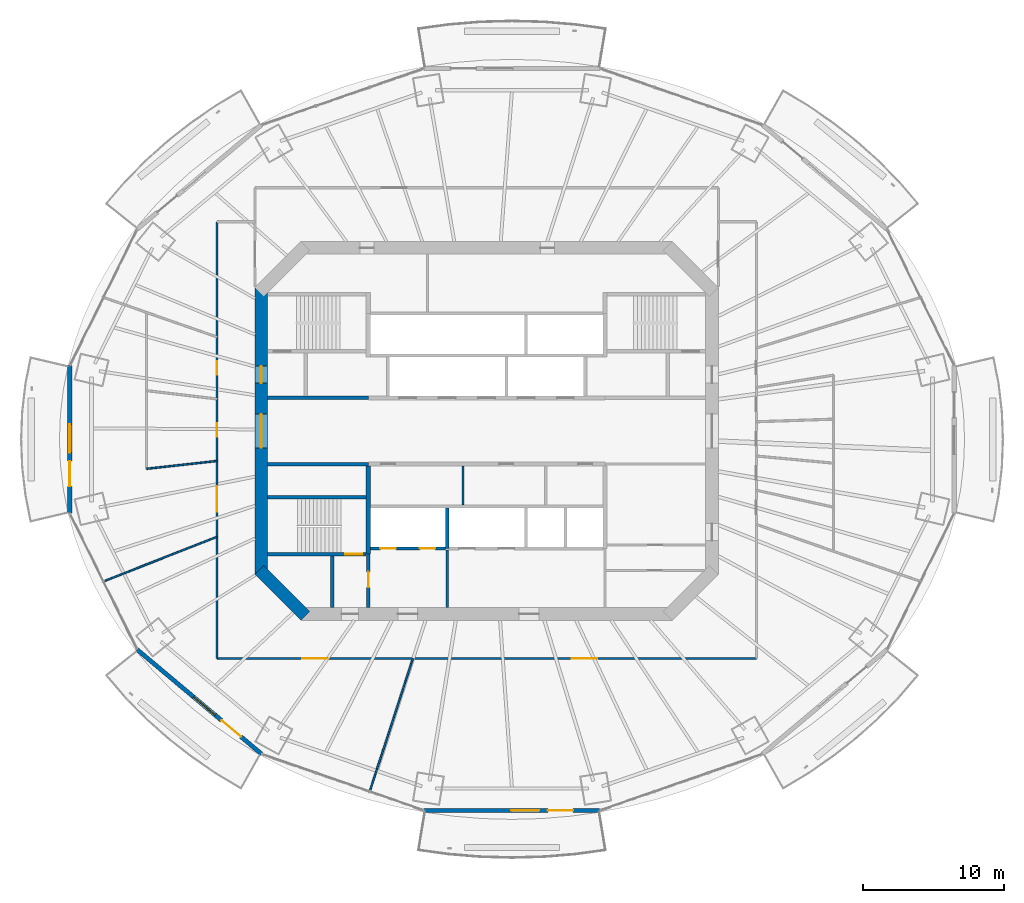
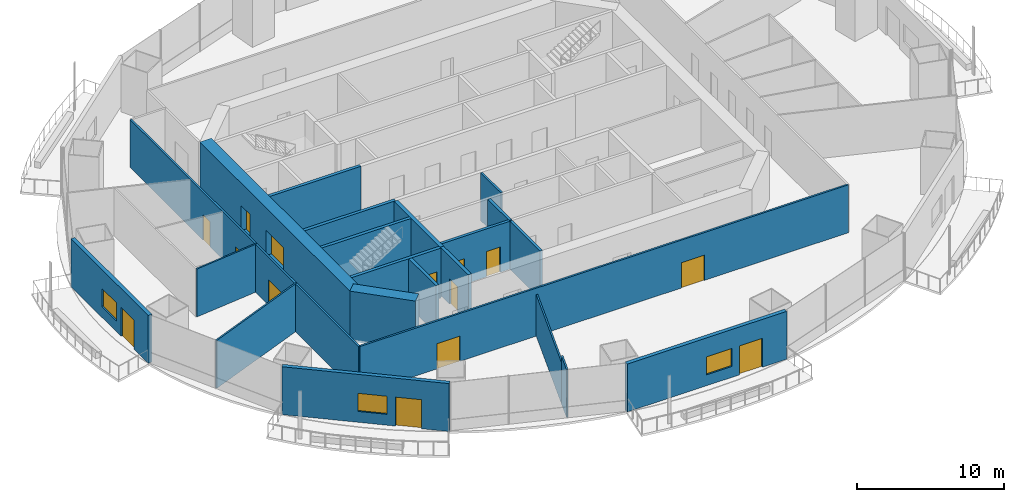
# One storey, part 11 of 20: 22 walls, 14 doors, 3 windows, 17 openings.
"""IFC4 building model written with IfcOpenShell, lengths in metres."""

from ifc_helpers import new_model, si_unit, direction, frame, frame_2d, origin, place, context, subcontext, project, spatial, rectangle, extrude, material, layer, layer_set, type_object, element, fill, save


model = new_model("IFC4")

# Units and contexts
model_context = context("Model", 3, precision=1e-05, world=origin(), true_north=direction((0.0, 1.0)))
body_context = subcontext(model_context, "Body", "Model", "MODEL_VIEW")
ifc_project = project(units=[si_unit("LENGTHUNIT", "METRE"), si_unit("AREAUNIT", "SQUARE_METRE"), si_unit("VOLUMEUNIT", "CUBIC_METRE"), si_unit("PLANEANGLEUNIT", "RADIAN"), si_unit("MASSUNIT", "GRAM", prefix="KILO")], contexts=[model_context])

# Site, building, storey
site_placement = place(None, origin())
site = spatial("IfcSite", under=ifc_project, at=site_placement, CompositionType="ELEMENT")
building_placement = place(site_placement, origin())
building = spatial("IfcBuilding", under=site, at=building_placement, Name="Marenthal Gate Tower", CompositionType="ELEMENT")
storey_placement = place(building_placement, frame((0.0, 0.0, 185.949951171875)))
storey = spatial("IfcBuildingStorey", under=building, at=storey_placement, Name="L40", CompositionType="ELEMENT", Elevation=185.949951171875)

# Wall, openings, doors
ifc_material_1 = material(Name="Concrete 60 MPa", Category="concrete")
ifc_layer_1 = layer(ifc_material_1, 0.89990234375)
ifc_layer_set_1 = layer_set([ifc_layer_1], Name="Core shear wall 900")
wall_type_1 = type_object("IfcWallType", Name="Core shear wall 900", PredefinedType="SHEAR", material=ifc_layer_set_1)
wall_1_placement = place(storey_placement, frame((-16.0, 10.186279296875, -0.179931640625), z_axis=(0.0, 0.0, 1.0), x_axis=(0.0, -1.0, 0.0)))
wall_1 = element("IfcWall", 1, at=wall_1_placement, inside=storey, type_object=wall_type_1, Name="Core wall 06", PredefinedType="SHEAR", context=body_context, shape_type="SweptSolid", body=[
    extrude(rectangle(XDim=20.37255859375, YDim=0.89990234375, at=frame_2d((10.186279296875, 0.0))), origin(), (0.0, 0.0, 1.0), 4.14990234375),
])
opening_1_placement = place(wall_1_placement, frame((8.986328125, 0.0, 0.179931640625)))
opening_1 = element("IfcOpeningElement", 2, at=opening_1_placement, cuts=wall_1, Name="Opening D003.01", PredefinedType="OPENING", context=body_context, shape_type="SweptSolid", body=[
    extrude(rectangle(XDim=2.39990234375, YDim=2.10009765625, at=frame_2d((1.199951171875, 1.050048828125))), frame((0.0, 0.4599609375, 0.0), z_axis=(0.0, -1.0, 0.0), x_axis=(1.0, 0.0, 0.0)), (0.0, 0.0, 1.0), 0.919921875),
])
opening_2_placement = place(wall_1_placement, frame((5.58642578125, 0.0, 0.179931640625)))
opening_2 = element("IfcOpeningElement", 3, at=opening_2_placement, cuts=wall_1, Name="Opening D001.04", PredefinedType="OPENING", context=body_context, shape_type="SweptSolid", body=[
    extrude(rectangle(XDim=1.199951171875, YDim=2.10009765625, at=frame_2d((0.60009765625, 1.050048828125))), frame((0.0, 0.4599609375, 0.0), z_axis=(0.0, -1.0, 0.0), x_axis=(1.0, 0.0, 0.0)), (0.0, 0.0, 1.0), 0.919921875),
])
ifc_material_2 = material(Name="Steel fire door", Category="steel")
door_type_1 = type_object("IfcDoorType", Name="Double fire door FD 45 2400 x 2100", OperationType="DOUBLE_DOOR_SINGLE_SWING", PredefinedType="DOOR", material=ifc_material_2)
door_1_placement = place(opening_1_placement, origin())
door_1 = element("IfcDoor", 4, at=door_1_placement, inside=storey, type_object=door_type_1, Name="Door D003.01", OperationType="DOUBLE_DOOR_SINGLE_SWING", OverallHeight=2.10009765625, OverallWidth=2.39990234375, PredefinedType="DOOR", context=body_context, shape_type="SweptSolid", body=[
    extrude(rectangle(XDim=2.39990234375, YDim=2.10009765625, at=frame_2d((1.199951171875, 1.050048828125))), frame((0.0, 0.02490234375, 0.0), z_axis=(0.0, -1.0, 0.0), x_axis=(1.0, 0.0, 0.0)), (0.0, 0.0, 1.0), 0.050048828125),
])
fill(opening_1, door_1)
ifc_material_3 = material(Name="Steel fire door", Category="steel")
door_type_2 = type_object("IfcDoorType", Name="Fire door FD 90 1200 x 2100", OperationType="NOTDEFINED", PredefinedType="DOOR", material=ifc_material_3)
door_2_placement = place(opening_2_placement, origin())
door_2 = element("IfcDoor", 5, at=door_2_placement, inside=storey, type_object=door_type_2, Name="Door D001.04", OperationType="SINGLE_SWING_RIGHT", OverallHeight=2.10009765625, OverallWidth=1.199951171875, PredefinedType="DOOR", context=body_context, shape_type="SweptSolid", body=[
    extrude(rectangle(XDim=1.199951171875, YDim=2.10009765625, at=frame_2d((0.60009765625, 1.050048828125))), frame((0.0, 0.02490234375, 0.0), z_axis=(0.0, -1.0, 0.0), x_axis=(1.0, 0.0, 0.0)), (0.0, 0.0, 1.0), 0.050048828125),
])
fill(opening_2, door_2)

# Walls
wall_2_placement = place(storey_placement, frame((-16.1318359375, -9.8681640625, -0.179931640625), z_axis=(0.0, 0.0, 1.0), x_axis=(0.707106781187, -0.707106781187, 0.0)))
element("IfcWall", 6, at=wall_2_placement, inside=storey, type_object=wall_type_1, Name="Core wall 07", PredefinedType="SHEAR", context=body_context, shape_type="SweptSolid", body=[
    extrude(rectangle(XDim=4.615478515625, YDim=0.89990234375, at=frame_2d((2.3076171875, 0.0))), origin(), (0.0, 0.0, 1.0), 4.14990234375),
])
ifc_material_4 = material(Name="Gypsum board on steel studs", Category="steel")
ifc_layer_2 = layer(ifc_material_4, 0.199951171875)
ifc_layer_set_2 = layer_set([ifc_layer_2], Name="Fire lobby wall 200")
wall_type_2 = type_object("IfcWallType", Name="Fire lobby wall 200", PredefinedType="PARTITIONING", material=ifc_layer_set_2)
wall_3_placement = place(storey_placement, frame((-2.800048828125, -12.550048828125, 0.0), z_axis=(0.0, 0.0, 1.0), x_axis=(0.0, 1.0, 0.0)))
element("IfcWall", 7, at=wall_3_placement, inside=storey, type_object=wall_type_2, Name="Fire wall 36", PredefinedType="PARTITIONING", context=body_context, shape_type="SweptSolid", body=[
    extrude(rectangle(XDim=4.090087890625, YDim=0.199951171875, at=frame_2d((2.044921875, 0.0))), origin(), (0.0, 0.0, 1.0), 3.969970703125),
])
ifc_material_5 = material(Name="Concrete 50 MPa", Category="concrete")
ifc_layer_3 = layer(ifc_material_5, 0.300048828125)
ifc_layer_set_3 = layer_set([ifc_layer_3], Name="Hoistway shear wall 300")
wall_type_3 = type_object("IfcWallType", Name="Hoistway shear wall 300", PredefinedType="SHEAR", material=ifc_layer_set_3)
wall_4_placement = place(storey_placement, frame((-8.39990234375, -8.75, -0.179931640625), z_axis=(0.0, 0.0, 1.0), x_axis=(0.0, 1.0, 0.0)))
element("IfcWall", 8, at=wall_4_placement, inside=storey, type_object=wall_type_3, Name="Hoistway wall 31", PredefinedType="SHEAR", context=body_context, shape_type="SweptSolid", body=[
    extrude(rectangle(XDim=6.25, YDim=0.300048828125, at=frame_2d((3.125, 0.0))), origin(), (0.0, 0.0, 1.0), 4.14990234375),
])

# Wall, openings, doors
ifc_material_6 = material(Name="Concrete 40 MPa", Category="concrete")
ifc_layer_4 = layer(ifc_material_6, 0.219970703125)
ifc_layer_set_4 = layer_set([ifc_layer_4], Name="Hoistway wall 220")
wall_type_4 = type_object("IfcWallType", Name="Hoistway wall 220", PredefinedType="STANDARD", material=ifc_layer_set_4)
wall_5_placement = place(storey_placement, frame((-8.25, -8.35009765625, 0.0), z_axis=(0.0, 0.0, 1.0), x_axis=(1.0, 0.0, 0.0)))
wall_5 = element("IfcWall", 9, at=wall_5_placement, inside=storey, type_object=wall_type_4, Name="Hoistway wall 11", PredefinedType="STANDARD", context=body_context, shape_type="SweptSolid", body=[
    extrude(rectangle(XDim=5.340087890625, YDim=0.219970703125, at=frame_2d((2.669921875, 0.0))), origin(), (0.0, 0.0, 1.0), 3.969970703125),
])
opening_3_placement = place(wall_5_placement, frame((0.699951171875, 0.0, 0.0)))
opening_3 = element("IfcOpeningElement", 10, at=opening_3_placement, cuts=wall_5, Name="Opening LD-LF1", PredefinedType="OPENING", context=body_context, shape_type="SweptSolid", body=[
    extrude(rectangle(XDim=1.10009765625, YDim=2.10009765625, at=frame_2d((0.550048828125, 1.050048828125))), frame((0.0, 0.1201171875, 0.0), z_axis=(0.0, -1.0, 0.0), x_axis=(1.0, 0.0, 0.0)), (0.0, 0.0, 1.0), 0.239990234375),
])
opening_4_placement = place(wall_5_placement, frame((3.5, 0.0, 0.0)))
opening_4 = element("IfcOpeningElement", 11, at=opening_4_placement, cuts=wall_5, Name="Opening LD-LF2", PredefinedType="OPENING", context=body_context, shape_type="SweptSolid", body=[
    extrude(rectangle(XDim=1.10009765625, YDim=2.10009765625, at=frame_2d((0.550048828125, 1.050048828125))), frame((0.0, 0.1201171875, 0.0), z_axis=(0.0, -1.0, 0.0), x_axis=(1.0, 0.0, 0.0)), (0.0, 0.0, 1.0), 0.239990234375),
])
ifc_material_7 = material(Name="Stainless steel sliding door", Category="steel")
door_type_3 = type_object("IfcDoorType", Name="Lift landing door FD 90 1100 x 2100", OperationType="DOUBLE_DOOR_SLIDING", PredefinedType="DOOR", material=ifc_material_7)
door_3_placement = place(opening_3_placement, origin())
door_3 = element("IfcDoor", 12, at=door_3_placement, inside=storey, type_object=door_type_3, Name="Lift landing door LF1", OperationType="DOUBLE_DOOR_SLIDING", OverallHeight=2.10009765625, OverallWidth=1.10009765625, PredefinedType="DOOR", context=body_context, shape_type="SweptSolid", body=[
    extrude(rectangle(XDim=1.10009765625, YDim=2.10009765625, at=frame_2d((0.550048828125, 1.050048828125))), frame((0.0, 0.02490234375, 0.0), z_axis=(0.0, -1.0, 0.0), x_axis=(1.0, 0.0, 0.0)), (0.0, 0.0, 1.0), 0.050048828125),
])
fill(opening_3, door_3)
door_4_placement = place(opening_4_placement, origin())
door_4 = element("IfcDoor", 13, at=door_4_placement, inside=storey, type_object=door_type_3, Name="Lift landing door LF2", OperationType="DOUBLE_DOOR_SLIDING", OverallHeight=2.10009765625, OverallWidth=1.10009765625, PredefinedType="DOOR", context=body_context, shape_type="SweptSolid", body=[
    extrude(rectangle(XDim=1.10009765625, YDim=2.10009765625, at=frame_2d((0.550048828125, 1.050048828125))), frame((0.0, 0.02490234375, 0.0), z_axis=(0.0, -1.0, 0.0), x_axis=(1.0, 0.0, 0.0)), (0.0, 0.0, 1.0), 0.050048828125),
])
fill(opening_4, door_4)

# Walls
wall_6_placement = place(storey_placement, frame((-2.800048828125, -8.35009765625, 0.0), z_axis=(0.0, 0.0, 1.0), x_axis=(0.0, 1.0, 0.0)))
element("IfcWall", 14, at=wall_6_placement, inside=storey, type_object=wall_type_4, Name="Hoistway wall 37", PredefinedType="STANDARD", context=body_context, shape_type="SweptSolid", body=[
    extrude(rectangle(XDim=2.89013671875, YDim=0.219970703125, at=frame_2d((1.445068359375, 0.0))), origin(), (0.0, 0.0, 1.0), 3.969970703125),
])
ifc_material_8 = material(Name="Gypsum board on steel studs", Category="steel")
ifc_layer_5 = layer(ifc_material_8, 0.1201171875)
ifc_layer_set_5 = layer_set([ifc_layer_5], Name="Partition 120")
wall_type_5 = type_object("IfcWallType", Name="Partition 120", PredefinedType="PARTITIONING", material=ifc_layer_set_5)
wall_7_placement = place(storey_placement, frame((-24.14697265625, -2.6865234375, 0.0), z_axis=(0.0, 0.0, 1.0), x_axis=(0.993868921716, 0.110564761322, 0.0)))
element("IfcWall", 15, at=wall_7_placement, inside=storey, type_object=wall_type_5, Name="Partition wall 50", PredefinedType="PARTITIONING", context=body_context, shape_type="SweptSolid", body=[
    extrude(rectangle(XDim=5.02783203125, YDim=0.1201171875, at=frame_2d((2.513916015625, 0.0))), origin(), (0.0, 0.0, 1.0), 3.969970703125),
])
wall_8_placement = place(storey_placement, frame((-19.14990234375, -7.517822265625, 0.0), z_axis=(0.0, 0.0, 1.0), x_axis=(-0.930851190322, -0.365398496816, 0.0)))
element("IfcWall", 16, at=wall_8_placement, inside=storey, type_object=wall_type_5, Name="Partition wall 54", PredefinedType="PARTITIONING", context=body_context, shape_type="SweptSolid", body=[
    extrude(rectangle(XDim=8.658447265625, YDim=0.1201171875, at=frame_2d((4.3291015625, 0.0))), origin(), (0.0, 0.0, 1.0), 3.969970703125),
])
wall_9_placement = place(storey_placement, frame((-5.236572265625, -16.14990234375, 0.0), z_axis=(0.0, 0.0, 1.0), x_axis=(-0.308416643719, -0.951251372602, 0.0)))
element("IfcWall", 17, at=wall_9_placement, inside=storey, type_object=wall_type_5, Name="Partition wall 59", PredefinedType="PARTITIONING", context=body_context, shape_type="SweptSolid", body=[
    extrude(rectangle(XDim=8.272216796875, YDim=0.1201171875, at=frame_2d((4.13623046875, 0.0))), origin(), (0.0, 0.0, 1.0), 3.43408203125),
])
wall_10_placement = place(storey_placement, frame((-7.787841796875, -24.018798828125, 0.0), z_axis=(0.0, 0.0, 1.0), x_axis=(-0.308397263442, -0.951257655896, 0.0)))
element("IfcWall", 18, at=wall_10_placement, inside=storey, type_object=wall_type_5, Name="Partition wall 71", PredefinedType="PARTITIONING", context=body_context, shape_type="SweptSolid", body=[
    extrude(rectangle(XDim=1.667236328125, YDim=0.1201171875, at=frame_2d((0.83349609375, 0.0))), origin(), (0.0, 0.0, 1.0), 3.969970703125),
])
ifc_material_9 = material(Name="Gypsum board on steel studs", Category="steel")
ifc_layer_6 = layer(ifc_material_9, 0.14990234375)
ifc_layer_set_6 = layer_set([ifc_layer_6], Name="Partition 150")
wall_type_6 = type_object("IfcWallType", Name="Partition 150", PredefinedType="PARTITIONING", material=ifc_layer_set_6)
wall_11_placement = place(storey_placement, frame((-1.679931640625, -5.239990234375, 0.0), z_axis=(0.0, 0.0, 1.0), x_axis=(0.0, 1.0, 0.0)))
element("IfcWall", 19, at=wall_11_placement, inside=storey, type_object=wall_type_6, Name="Partition wall 38", PredefinedType="PARTITIONING", context=body_context, shape_type="SweptSolid", body=[
    extrude(rectangle(XDim=2.739990234375, YDim=0.14990234375, at=frame_2d((1.3701171875, 0.0))), origin(), (0.0, 0.0, 1.0), 3.969970703125),
])

# Wall, openings, doors
wall_12_placement = place(storey_placement, frame((-19.14990234375, -16.14990234375, 0.0), z_axis=(0.0, 0.0, 1.0), x_axis=(0.0, 1.0, 0.0)))
wall_12 = element("IfcWall", 20, at=wall_12_placement, inside=storey, type_object=wall_type_6, Name="Partition wall 53", PredefinedType="PARTITIONING", context=body_context, shape_type="SweptSolid", body=[
    extrude(rectangle(XDim=31.003662109375, YDim=0.14990234375, at=frame_2d((15.501953125, 0.0))), origin(), (0.0, 0.0, 1.0), 3.969970703125),
])
opening_5_placement = place(wall_12_placement, frame((20.14697265625, 0.0, 0.0)))
opening_5 = element("IfcOpeningElement", 21, at=opening_5_placement, cuts=wall_12, Name="Opening D016.01", PredefinedType="OPENING", context=body_context, shape_type="SweptSolid", body=[
    extrude(rectangle(XDim=0.949951171875, YDim=2.10009765625, at=frame_2d((0.47509765625, 1.050048828125))), frame((0.0, 0.0849609375, 0.0), z_axis=(0.0, -1.0, 0.0), x_axis=(1.0, 0.0, 0.0)), (0.0, 0.0, 1.0), 0.169921875),
])
opening_6_placement = place(wall_12_placement, frame((15.7451171875, 0.0, 0.0)))
opening_6 = element("IfcOpeningElement", 22, at=opening_6_placement, cuts=wall_12, Name="Opening D016.02", PredefinedType="OPENING", context=body_context, shape_type="SweptSolid", body=[
    extrude(rectangle(XDim=0.949951171875, YDim=2.10009765625, at=frame_2d((0.47509765625, 1.050048828125))), frame((0.0, 0.0849609375, 0.0), z_axis=(0.0, -1.0, 0.0), x_axis=(1.0, 0.0, 0.0)), (0.0, 0.0, 1.0), 0.169921875),
])
opening_7_placement = place(wall_12_placement, frame((10.425048828125, 0.0, 0.0)))
opening_7 = element("IfcOpeningElement", 23, at=opening_7_placement, cuts=wall_12, Name="Opening D014.02", PredefinedType="OPENING", context=body_context, shape_type="SweptSolid", body=[
    extrude(rectangle(XDim=1.800048828125, YDim=2.10009765625, at=frame_2d((0.89990234375, 1.050048828125))), frame((0.0, 0.0849609375, 0.0), z_axis=(0.0, -1.0, 0.0), x_axis=(1.0, 0.0, 0.0)), (0.0, 0.0, 1.0), 0.169921875),
])
ifc_material_10 = material(Name="Timber door", Category="wood")
door_type_4 = type_object("IfcDoorType", Name="Door 950 x 2100", OperationType="NOTDEFINED", PredefinedType="DOOR", material=ifc_material_10)
door_5_placement = place(opening_5_placement, origin())
door_5 = element("IfcDoor", 24, at=door_5_placement, inside=storey, type_object=door_type_4, Name="Door D016.01", OperationType="SINGLE_SWING_RIGHT", OverallHeight=2.10009765625, OverallWidth=0.949951171875, PredefinedType="DOOR", context=body_context, shape_type="SweptSolid", body=[
    extrude(rectangle(XDim=0.949951171875, YDim=2.10009765625, at=frame_2d((0.47509765625, 1.050048828125))), frame((0.0, 0.02490234375, 0.0), z_axis=(0.0, -1.0, 0.0), x_axis=(1.0, 0.0, 0.0)), (0.0, 0.0, 1.0), 0.050048828125),
])
fill(opening_5, door_5)
door_6_placement = place(opening_6_placement, origin())
door_6 = element("IfcDoor", 25, at=door_6_placement, inside=storey, type_object=door_type_4, Name="Door D016.02", OperationType="SINGLE_SWING_RIGHT", OverallHeight=2.10009765625, OverallWidth=0.949951171875, PredefinedType="DOOR", context=body_context, shape_type="SweptSolid", body=[
    extrude(rectangle(XDim=0.949951171875, YDim=2.10009765625, at=frame_2d((0.47509765625, 1.050048828125))), frame((0.0, 0.02490234375, 0.0), z_axis=(0.0, -1.0, 0.0), x_axis=(1.0, 0.0, 0.0)), (0.0, 0.0, 1.0), 0.050048828125),
])
fill(opening_6, door_6)
ifc_material_11 = material(Name="Timber door", Category="wood")
door_type_5 = type_object("IfcDoorType", Name="Double door 1800 x 2100", OperationType="DOUBLE_DOOR_SINGLE_SWING", PredefinedType="DOOR", material=ifc_material_11)
door_7_placement = place(opening_7_placement, origin())
door_7 = element("IfcDoor", 26, at=door_7_placement, inside=storey, type_object=door_type_5, Name="Door D014.02", OperationType="DOUBLE_DOOR_SINGLE_SWING", OverallHeight=2.10009765625, OverallWidth=1.800048828125, PredefinedType="DOOR", context=body_context, shape_type="SweptSolid", body=[
    extrude(rectangle(XDim=1.800048828125, YDim=2.10009765625, at=frame_2d((0.89990234375, 1.050048828125))), frame((0.0, 0.02490234375, 0.0), z_axis=(0.0, -1.0, 0.0), x_axis=(1.0, 0.0, 0.0)), (0.0, 0.0, 1.0), 0.050048828125),
])
fill(opening_7, door_7)

wall_13_placement = place(storey_placement, frame((19.14990234375, -16.14990234375, 0.0), z_axis=(0.0, 0.0, 1.0), x_axis=(-1.0, 0.0, 0.0)))
wall_13 = element("IfcWall", 27, at=wall_13_placement, inside=storey, type_object=wall_type_6, Name="Partition wall 62", PredefinedType="PARTITIONING", context=body_context, shape_type="SweptSolid", body=[
    extrude(rectangle(XDim=38.2998046875, YDim=0.14990234375, at=frame_2d((19.14990234375, 0.0))), origin(), (0.0, 0.0, 1.0), 3.969970703125),
])
opening_8_placement = place(wall_13_placement, frame((30.443115234375, 0.0, 0.0)))
opening_8 = element("IfcOpeningElement", 28, at=opening_8_placement, cuts=wall_13, Name="Opening D014.03", PredefinedType="OPENING", context=body_context, shape_type="SweptSolid", body=[
    extrude(rectangle(XDim=1.800048828125, YDim=2.10009765625, at=frame_2d((0.89990234375, 1.050048828125))), frame((0.0, 0.0849609375, 0.0), z_axis=(0.0, -1.0, 0.0), x_axis=(1.0, 0.0, 0.0)), (0.0, 0.0, 1.0), 0.169921875),
])
opening_9_placement = place(wall_13_placement, frame((11.29296875, 0.0, 0.0)))
opening_9 = element("IfcOpeningElement", 29, at=opening_9_placement, cuts=wall_13, Name="Opening D014.04", PredefinedType="OPENING", context=body_context, shape_type="SweptSolid", body=[
    extrude(rectangle(XDim=1.800048828125, YDim=2.10009765625, at=frame_2d((0.89990234375, 1.050048828125))), frame((0.0, 0.0849609375, 0.0), z_axis=(0.0, -1.0, 0.0), x_axis=(1.0, 0.0, 0.0)), (0.0, 0.0, 1.0), 0.169921875),
])
door_8_placement = place(opening_8_placement, origin())
door_8 = element("IfcDoor", 30, at=door_8_placement, inside=storey, type_object=door_type_5, Name="Door D014.03", OperationType="DOUBLE_DOOR_SINGLE_SWING", OverallHeight=2.10009765625, OverallWidth=1.800048828125, PredefinedType="DOOR", context=body_context, shape_type="SweptSolid", body=[
    extrude(rectangle(XDim=1.800048828125, YDim=2.10009765625, at=frame_2d((0.89990234375, 1.050048828125))), frame((0.0, 0.02490234375, 0.0), z_axis=(0.0, -1.0, 0.0), x_axis=(1.0, 0.0, 0.0)), (0.0, 0.0, 1.0), 0.050048828125),
])
fill(opening_8, door_8)
door_9_placement = place(opening_9_placement, origin())
door_9 = element("IfcDoor", 31, at=door_9_placement, inside=storey, type_object=door_type_5, Name="Door D014.04", OperationType="DOUBLE_DOOR_SINGLE_SWING", OverallHeight=2.10009765625, OverallWidth=1.800048828125, PredefinedType="DOOR", context=body_context, shape_type="SweptSolid", body=[
    extrude(rectangle(XDim=1.800048828125, YDim=2.10009765625, at=frame_2d((0.89990234375, 1.050048828125))), frame((0.0, 0.02490234375, 0.0), z_axis=(0.0, -1.0, 0.0), x_axis=(1.0, 0.0, 0.0)), (0.0, 0.0, 1.0), 0.050048828125),
])
fill(opening_9, door_9)

# Walls
ifc_material_12 = material(Name="Concrete 40 MPa", Category="concrete")
ifc_layer_7 = layer(ifc_material_12, 0.25)
ifc_layer_set_7 = layer_set([ifc_layer_7], Name="Stair enclosure wall 250")
wall_type_7 = type_object("IfcWallType", Name="Stair enclosure wall 250", PredefinedType="STANDARD", material=ifc_layer_set_7)
for number, where, z_axis, x_axis, name in (
    (32, (-15.550048828125, -2.35009765625, 0.0), (0.0, 0.0, 1.0), (1.0, 0.0, 0.0), "Stair wall 16"),
    (33, (-15.550048828125, 2.35009765625, 0.0), (0.0, 0.0, 1.0), (1.0, 0.0, 0.0), "Stair wall 19"),
):
    element("IfcWall", number, at=place(storey_placement, frame(where, z_axis=z_axis, x_axis=x_axis)), inside=storey, type_object=wall_type_7, Name=name, PredefinedType="STANDARD", context=body_context, shape_type="SweptSolid", body=[
        extrude(rectangle(XDim=7.150146484375, YDim=0.25, at=frame_2d((3.5751953125, 0.0))), origin(), (0.0, 0.0, 1.0), 3.969970703125),
    ])
wall_14_placement = place(storey_placement, frame((-10.949951171875, -12.550048828125, 0.0), z_axis=(0.0, 0.0, 1.0), x_axis=(0.0, 1.0, 0.0)))
element("IfcWall", 34, at=wall_14_placement, inside=storey, type_object=wall_type_7, Name="Stair wall 29", PredefinedType="STANDARD", context=body_context, shape_type="SweptSolid", body=[
    extrude(rectangle(XDim=3.675048828125, YDim=0.25, at=frame_2d((1.83740234375, 0.0))), origin(), (0.0, 0.0, 1.0), 3.969970703125),
])

# Wall, opening, door
wall_15_placement = place(storey_placement, frame((-8.39990234375, -12.550048828125, 0.0), z_axis=(0.0, 0.0, 1.0), x_axis=(0.0, 1.0, 0.0)))
wall_15 = element("IfcWall", 35, at=wall_15_placement, inside=storey, type_object=wall_type_7, Name="Stair wall 30", PredefinedType="STANDARD", context=body_context, shape_type="SweptSolid", body=[
    extrude(rectangle(XDim=3.800048828125, YDim=0.25, at=frame_2d((1.89990234375, 0.0))), origin(), (0.0, 0.0, 1.0), 3.969970703125),
])
opening_10_placement = place(wall_15_placement, frame((1.449951171875, 0.0, 0.0)))
opening_10 = element("IfcOpeningElement", 36, at=opening_10_placement, cuts=wall_15, Name="Opening D002.01", PredefinedType="OPENING", context=body_context, shape_type="SweptSolid", body=[
    extrude(rectangle(XDim=1.10009765625, YDim=2.10009765625, at=frame_2d((0.550048828125, 1.050048828125))), frame((0.0, 0.135009765625, 0.0), z_axis=(0.0, -1.0, 0.0), x_axis=(1.0, 0.0, 0.0)), (0.0, 0.0, 1.0), 0.27001953125),
])
ifc_material_13 = material(Name="Steel fire door", Category="steel")
door_type_6 = type_object("IfcDoorType", Name="Fire door FD 90 1100 x 2100", OperationType="NOTDEFINED", PredefinedType="DOOR", material=ifc_material_13)
door_10_placement = place(opening_10_placement, origin())
door_10 = element("IfcDoor", 37, at=door_10_placement, inside=storey, type_object=door_type_6, Name="Door D002.01", OperationType="SINGLE_SWING_RIGHT", OverallHeight=2.10009765625, OverallWidth=1.10009765625, PredefinedType="DOOR", context=body_context, shape_type="SweptSolid", body=[
    extrude(rectangle(XDim=1.10009765625, YDim=2.10009765625, at=frame_2d((0.550048828125, 1.050048828125))), frame((0.0, 0.02490234375, 0.0), z_axis=(0.0, -1.0, 0.0), x_axis=(1.0, 0.0, 0.0)), (0.0, 0.0, 1.0), 0.050048828125),
])
fill(opening_10, door_10)

ifc_material_14 = material(Name="Concrete 50 MPa", Category="concrete")
ifc_layer_8 = layer(ifc_material_14, 0.25)
ifc_layer_set_8 = layer_set([ifc_layer_8], Name="Stair shear wall 250")
wall_type_8 = type_object("IfcWallType", Name="Stair shear wall 250", PredefinedType="SHEAR", material=ifc_layer_set_8)
wall_16_placement = place(storey_placement, frame((-15.550048828125, -8.75, -0.179931640625), z_axis=(0.0, 0.0, 1.0), x_axis=(1.0, 0.0, 0.0)))
wall_16 = element("IfcWall", 38, at=wall_16_placement, inside=storey, type_object=wall_type_8, Name="Stair wall 10", PredefinedType="SHEAR", context=body_context, shape_type="SweptSolid", body=[
    extrude(rectangle(XDim=7.0, YDim=0.25, at=frame_2d((3.5, 0.0))), origin(), (0.0, 0.0, 1.0), 4.14990234375),
])
opening_11_placement = place(wall_16_placement, frame((5.5, 0.0, 0.179931640625)))
opening_11 = element("IfcOpeningElement", 39, at=opening_11_placement, cuts=wall_16, Name="Opening D001.03", PredefinedType="OPENING", context=body_context, shape_type="SweptSolid", body=[
    extrude(rectangle(XDim=1.199951171875, YDim=2.10009765625, at=frame_2d((0.60009765625, 1.050048828125))), frame((0.0, 0.135009765625, 0.0), z_axis=(0.0, -1.0, 0.0), x_axis=(1.0, 0.0, 0.0)), (0.0, 0.0, 1.0), 0.27001953125),
])
door_11_placement = place(opening_11_placement, origin())
door_11 = element("IfcDoor", 40, at=door_11_placement, inside=storey, type_object=door_type_2, Name="Door D001.03", OperationType="SINGLE_SWING_RIGHT", OverallHeight=2.10009765625, OverallWidth=1.199951171875, PredefinedType="DOOR", context=body_context, shape_type="SweptSolid", body=[
    extrude(rectangle(XDim=1.199951171875, YDim=2.10009765625, at=frame_2d((0.60009765625, 1.050048828125))), frame((0.0, 0.02490234375, 0.0), z_axis=(0.0, -1.0, 0.0), x_axis=(1.0, 0.0, 0.0)), (0.0, 0.0, 1.0), 0.050048828125),
])
fill(opening_11, door_11)

# Wall
wall_17_placement = place(storey_placement, frame((-15.550048828125, -4.699951171875, -0.179931640625), z_axis=(0.0, 0.0, 1.0), x_axis=(1.0, 0.0, 0.0)))
element("IfcWall", 41, at=wall_17_placement, inside=storey, type_object=wall_type_8, Name="Stair wall 15", PredefinedType="SHEAR", context=body_context, shape_type="SweptSolid", body=[
    extrude(rectangle(XDim=7.0, YDim=0.25, at=frame_2d((3.5, 0.0))), origin(), (0.0, 0.0, 1.0), 4.14990234375),
])

# Wall, openings, door, window
ifc_material_15 = material(Name="Terracotta cladding on insulated concrete-block backing", Category="masonry")
ifc_layer_9 = layer(ifc_material_15, 0.300048828125)
ifc_layer_set_9 = layer_set([ifc_layer_9], Name="Terracotta facade wall 300")
wall_type_9 = type_object("IfcWallType", Name="Terracotta facade wall 300", PredefinedType="SOLIDWALL", material=ifc_layer_set_9)
wall_18_placement = place(storey_placement, frame((-29.599853515625, 4.640380859375, 0.0), z_axis=(0.0, 0.0, 1.0), x_axis=(0.0, -1.0, 0.0)))
wall_18 = element("IfcWall", 42, at=wall_18_placement, inside=storey, type_object=wall_type_9, Name="Terracotta facade wall L40 bay 8", PredefinedType="SOLIDWALL", context=body_context, shape_type="SweptSolid", body=[
    extrude(rectangle(XDim=10.480712890625, YDim=0.300048828125, at=frame_2d((5.240234375, 0.0))), origin(), (0.0, 0.0, 1.0), 3.969970703125),
])
opening_12_placement = place(wall_18_placement, frame((6.780517578125, 0.0, 0.0)))
opening_12 = element("IfcOpeningElement", 43, at=opening_12_placement, cuts=wall_18, Name="Opening BD-L40-08", PredefinedType="OPENING", context=body_context, shape_type="SweptSolid", body=[
    extrude(rectangle(XDim=1.800048828125, YDim=2.39990234375, at=frame_2d((0.89990234375, 1.199951171875))), frame((0.0, 0.16015625, 0.0), z_axis=(0.0, -1.0, 0.0), x_axis=(1.0, 0.0, 0.0)), (0.0, 0.0, 1.0), 0.320068359375),
])
opening_13_placement = place(wall_18_placement, frame((4.1806640625, 0.0, 0.89990234375)))
opening_13 = element("IfcOpeningElement", 44, at=opening_13_placement, cuts=wall_18, Name="Opening WN2-L40-08", PredefinedType="OPENING", context=body_context, shape_type="SweptSolid", body=[
    extrude(rectangle(XDim=2.0, YDim=1.5, at=frame_2d((1.0, 0.75))), frame((0.0, 0.16015625, 0.0), z_axis=(0.0, -1.0, 0.0), x_axis=(1.0, 0.0, 0.0)), (0.0, 0.0, 1.0), 0.320068359375),
])
ifc_material_16 = material(Name="Aluminium and glass", Category="aluminium")
door_type_7 = type_object("IfcDoorType", Name="Balcony door 1800x2400", OperationType="DOUBLE_DOOR_SINGLE_SWING", PredefinedType="DOOR", material=ifc_material_16)
door_12_placement = place(opening_12_placement, origin())
door_12 = element("IfcDoor", 45, at=door_12_placement, inside=storey, type_object=door_type_7, Name="Balcony door L40 bay 8", OperationType="SINGLE_SWING_LEFT", OverallHeight=2.39990234375, OverallWidth=1.800048828125, PredefinedType="DOOR", context=body_context, shape_type="SweptSolid", body=[
    extrude(rectangle(XDim=1.800048828125, YDim=2.39990234375, at=frame_2d((0.89990234375, 1.199951171875))), frame((0.0, 0.02490234375, 0.0), z_axis=(0.0, -1.0, 0.0), x_axis=(1.0, 0.0, 0.0)), (0.0, 0.0, 1.0), 0.050048828125),
])
fill(opening_12, door_12)
ifc_material_17 = material(Name="Aluminium and glass", Category="aluminium")
window_type = type_object("IfcWindowType", Name="Window 2000x1500", PartitioningType="DOUBLE_PANEL_VERTICAL", PredefinedType="WINDOW", material=ifc_material_17)
window_1_placement = place(opening_13_placement, origin())
window_1 = element("IfcWindow", 46, at=window_1_placement, inside=storey, type_object=window_type, Name="Window L40 bay 8", OverallHeight=1.5, OverallWidth=2.0, PartitioningType="SINGLE_PANEL", PredefinedType="WINDOW", context=body_context, shape_type="SweptSolid", body=[
    extrude(rectangle(XDim=2.0, YDim=1.5, at=frame_2d((1.0, 0.75))), frame((0.0, 0.030029296875, 0.0), z_axis=(0.0, -1.0, 0.0), x_axis=(1.0, 0.0, 0.0)), (0.0, 0.0, 1.0), 0.06005859375),
])
fill(opening_13, window_1)

wall_19_placement = place(storey_placement, frame((-24.819580078125, -15.523193359375, 0.0), z_axis=(0.0, 0.0, 1.0), x_axis=(0.766082233378, -0.642742570321, 0.0)))
wall_19 = element("IfcWall", 47, at=wall_19_placement, inside=storey, type_object=wall_type_9, Name="Terracotta facade wall L40 bay 10", PredefinedType="SOLIDWALL", context=body_context, shape_type="SweptSolid", body=[
    extrude(rectangle(XDim=11.530029296875, YDim=0.300048828125, at=frame_2d((5.76513671875, 0.0))), origin(), (0.0, 0.0, 1.0), 3.969970703125),
])
opening_14_placement = place(wall_19_placement, frame((7.830078125, 0.0, 0.0)))
opening_14 = element("IfcOpeningElement", 48, at=opening_14_placement, cuts=wall_19, Name="Opening BD-L40-10", PredefinedType="OPENING", context=body_context, shape_type="SweptSolid", body=[
    extrude(rectangle(XDim=1.800048828125, YDim=2.39990234375, at=frame_2d((0.89990234375, 1.199951171875))), frame((0.0, 0.16015625, 0.0), z_axis=(0.0, -1.0, 0.0), x_axis=(1.0, 0.0, 0.0)), (0.0, 0.0, 1.0), 0.320068359375),
])
opening_15_placement = place(wall_19_placement, frame((5.22998046875, 0.0, 0.89990234375)))
opening_15 = element("IfcOpeningElement", 49, at=opening_15_placement, cuts=wall_19, Name="Opening WN2-L40-10", PredefinedType="OPENING", context=body_context, shape_type="SweptSolid", body=[
    extrude(rectangle(XDim=2.0, YDim=1.5, at=frame_2d((1.0, 0.75))), frame((0.0, 0.16015625, 0.0), z_axis=(0.0, -1.0, 0.0), x_axis=(1.0, 0.0, 0.0)), (0.0, 0.0, 1.0), 0.320068359375),
])
door_13_placement = place(opening_14_placement, origin())
door_13 = element("IfcDoor", 50, at=door_13_placement, inside=storey, type_object=door_type_7, Name="Balcony door L40 bay 10", OperationType="SINGLE_SWING_LEFT", OverallHeight=2.39990234375, OverallWidth=1.800048828125, PredefinedType="DOOR", context=body_context, shape_type="SweptSolid", body=[
    extrude(rectangle(XDim=1.800048828125, YDim=2.39990234375, at=frame_2d((0.89990234375, 1.199951171875))), frame((0.0, 0.02490234375, 0.0), z_axis=(0.0, -1.0, 0.0), x_axis=(1.0, 0.0, 0.0)), (0.0, 0.0, 1.0), 0.050048828125),
])
fill(opening_14, door_13)
window_2_placement = place(opening_15_placement, origin())
window_2 = element("IfcWindow", 51, at=window_2_placement, inside=storey, type_object=window_type, Name="Window L40 bay 10", OverallHeight=1.5, OverallWidth=2.0, PartitioningType="SINGLE_PANEL", PredefinedType="WINDOW", context=body_context, shape_type="SweptSolid", body=[
    extrude(rectangle(XDim=2.0, YDim=1.5, at=frame_2d((1.0, 0.75))), frame((0.0, 0.030029296875, 0.0), z_axis=(0.0, -1.0, 0.0), x_axis=(1.0, 0.0, 0.0)), (0.0, 0.0, 1.0), 0.06005859375),
])
fill(opening_15, window_2)

wall_20_placement = place(storey_placement, frame((-4.44580078125, -26.94482421875, 0.0), z_axis=(0.0, 0.0, 1.0), x_axis=(1.0, 0.0, 0.0)))
wall_20 = element("IfcWall", 52, at=wall_20_placement, inside=storey, type_object=wall_type_9, Name="Terracotta facade wall L40 bay 12", PredefinedType="SOLIDWALL", context=body_context, shape_type="SweptSolid", body=[
    extrude(rectangle(XDim=12.49169921875, YDim=0.300048828125, at=frame_2d((6.245849609375, 0.0))), origin(), (0.0, 0.0, 1.0), 3.969970703125),
])
opening_16_placement = place(wall_20_placement, frame((8.79150390625, 0.0, 0.0)))
opening_16 = element("IfcOpeningElement", 53, at=opening_16_placement, cuts=wall_20, Name="Opening BD-L40-12", PredefinedType="OPENING", context=body_context, shape_type="SweptSolid", body=[
    extrude(rectangle(XDim=1.800048828125, YDim=2.39990234375, at=frame_2d((0.89990234375, 1.199951171875))), frame((0.0, 0.16015625, 0.0), z_axis=(0.0, -1.0, 0.0), x_axis=(1.0, 0.0, 0.0)), (0.0, 0.0, 1.0), 0.320068359375),
])
opening_17_placement = place(wall_20_placement, frame((6.191650390625, 0.0, 0.89990234375)))
opening_17 = element("IfcOpeningElement", 54, at=opening_17_placement, cuts=wall_20, Name="Opening WN2-L40-12", PredefinedType="OPENING", context=body_context, shape_type="SweptSolid", body=[
    extrude(rectangle(XDim=2.0, YDim=1.5, at=frame_2d((1.0, 0.75))), frame((0.0, 0.16015625, 0.0), z_axis=(0.0, -1.0, 0.0), x_axis=(1.0, 0.0, 0.0)), (0.0, 0.0, 1.0), 0.320068359375),
])
door_14_placement = place(opening_16_placement, origin())
door_14 = element("IfcDoor", 55, at=door_14_placement, inside=storey, type_object=door_type_7, Name="Balcony door L40 bay 12", OperationType="SINGLE_SWING_LEFT", OverallHeight=2.39990234375, OverallWidth=1.800048828125, PredefinedType="DOOR", context=body_context, shape_type="SweptSolid", body=[
    extrude(rectangle(XDim=1.800048828125, YDim=2.39990234375, at=frame_2d((0.89990234375, 1.199951171875))), frame((0.0, 0.02490234375, 0.0), z_axis=(0.0, -1.0, 0.0), x_axis=(1.0, 0.0, 0.0)), (0.0, 0.0, 1.0), 0.050048828125),
])
fill(opening_16, door_14)
window_3_placement = place(opening_17_placement, origin())
window_3 = element("IfcWindow", 56, at=window_3_placement, inside=storey, type_object=window_type, Name="Window L40 bay 12", OverallHeight=1.5, OverallWidth=2.0, PartitioningType="SINGLE_PANEL", PredefinedType="WINDOW", context=body_context, shape_type="SweptSolid", body=[
    extrude(rectangle(XDim=2.0, YDim=1.5, at=frame_2d((1.0, 0.75))), frame((0.0, 0.030029296875, 0.0), z_axis=(0.0, -1.0, 0.0), x_axis=(1.0, 0.0, 0.0)), (0.0, 0.0, 1.0), 0.06005859375),
])
fill(opening_17, window_3)

save(model, "model.ifc")
